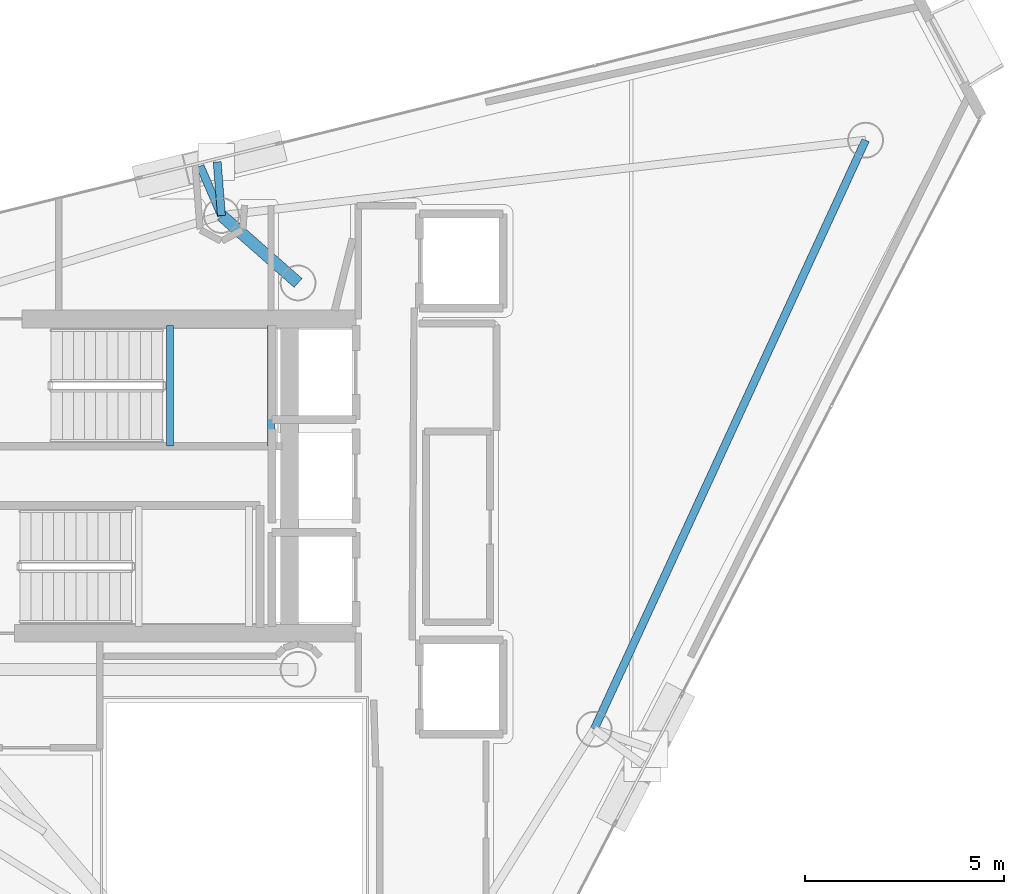
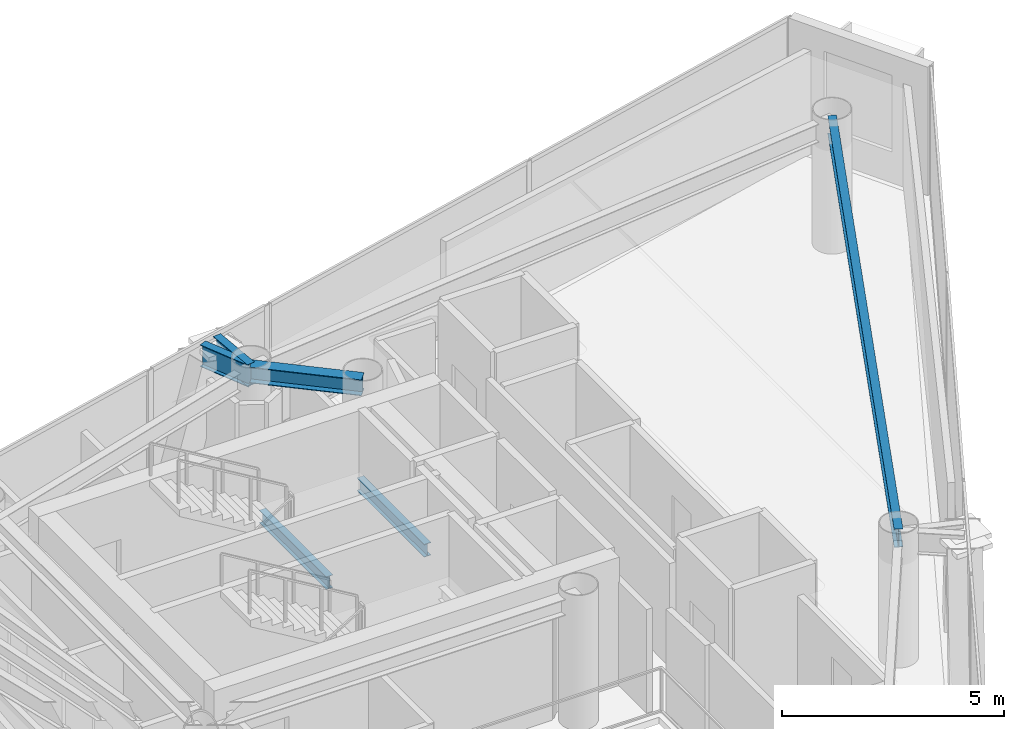
# One storey, part 13 of 21: 6 beams.
"""IFC4 building model written with IfcOpenShell, lengths in metres."""

from ifc_helpers import new_model, si_unit, direction, frame, origin, origin_2d, place, context, subcontext, project, spatial, i_section, extrude, material, material_profile, profile_set, type_object, element, save


model = new_model("IFC4")

# Units and contexts
model_context = context("Model", 3, precision=1e-05, world=origin(), true_north=direction((0.0, 1.0)))
body_context = subcontext(model_context, "Body", "Model", "MODEL_VIEW")
ifc_project = project(units=[si_unit("LENGTHUNIT", "METRE"), si_unit("AREAUNIT", "SQUARE_METRE"), si_unit("VOLUMEUNIT", "CUBIC_METRE"), si_unit("PLANEANGLEUNIT", "RADIAN"), si_unit("MASSUNIT", "GRAM", prefix="KILO")], contexts=[model_context])

# Site, building, storey
site_placement = place(None, origin())
site = spatial("IfcSite", under=ifc_project, at=site_placement, CompositionType="ELEMENT")
building_placement = place(site_placement, origin())
building = spatial("IfcBuilding", under=site, at=building_placement, Name="Qianvela Tower", CompositionType="ELEMENT")
storey_placement = place(building_placement, frame((0.0, 0.0, 310.199951171875)))
storey = spatial("IfcBuildingStorey", under=building, at=storey_placement, Name="L80", CompositionType="ELEMENT", Elevation=310.199951171875)

# Beams
ifc_material_1 = material(Name="Steel Q355B", Category="steel")
ifc_material_profile_1 = material_profile(ifc_material_1, i_section(OverallWidth=0.300048828125, OverallDepth=0.43994140625, WebThickness=0.010986328125, FlangeThickness=0.01806640625, at=origin_2d()), Name="HM440x300x11x18")
ifc_profile_set_1 = profile_set([ifc_material_profile_1], Name="Steel Q355B")
beam_type_1 = type_object("IfcBeamType", Name="BM-HM440-COLL", PredefinedType="BEAM", material=ifc_profile_set_1)
beam_1_placement = place(storey_placement, frame((38.39990234375, 33.550048828125, 3.298095703125), z_axis=(-0.750732416106, 0.660606417928, 0.0), x_axis=(-0.660606417928, -0.750732416106, 0.0)))
element("IfcBeam", 1, at=beam_1_placement, inside=storey, type_object=beam_type_1, Name="L80 Radial Primary Floor Girder 2", PredefinedType="BEAM", context=body_context, shape_type="SweptSolid", body=[
    extrude(i_section(OverallWidth=0.300048828125, OverallDepth=0.43994140625, WebThickness=0.010986328125, FlangeThickness=0.01806640625, at=origin_2d()), origin(), (0.0, 0.0, 1.0), 2.5625),
])
ifc_material_2 = material(Name="Steel Q355B", Category="steel")
ifc_material_profile_2 = material_profile(ifc_material_2, i_section(OverallWidth=0.175048828125, OverallDepth=0.35009765625, WebThickness=0.007080078125, FlangeThickness=0.010986328125, at=origin_2d()), Name="HN350x175x7x11")
ifc_profile_set_2 = profile_set([ifc_material_profile_2], Name="Steel Q355B")
beam_type_2 = type_object("IfcBeamType", Name="BM-HN350-JOIST", PredefinedType="JOIST", material=ifc_profile_set_2)
for number, where, z_axis, x_axis, name in (
    (2, (35.179931640625, 29.4599609375, 1.47509765625), (0.0, 1.0, 0.0), (-1.0, 0.0, 0.0), "L80 Stair ST-1 Landing Support Beam 1.1"),
    (3, (37.719970703125, 29.4599609375, 1.47509765625), (0.0, 1.0, 0.0), (-1.0, 0.0, 0.0), "L80 Stair ST-1 Landing Support Beam 1.2"),
):
    element("IfcBeam", number, at=place(storey_placement, frame(where, z_axis=z_axis, x_axis=x_axis)), inside=storey, type_object=beam_type_2, Name=name, PredefinedType="JOIST", context=body_context, shape_type="SweptSolid", body=[
        extrude(i_section(OverallWidth=0.175048828125, OverallDepth=0.35009765625, WebThickness=0.007080078125, FlangeThickness=0.010986328125, at=origin_2d()), origin(), (0.0, 0.0, 1.0), 3.02001953125),
    ])
ifc_material_3 = material(Name="Steel Q355B", Category="steel")
ifc_material_profile_3 = material_profile(ifc_material_3, i_section(OverallWidth=0.199951171875, OverallDepth=0.5, WebThickness=0.010009765625, FlangeThickness=0.01611328125, at=origin_2d()), Name="HN500x200x10x16")
ifc_profile_set_3 = profile_set([ifc_material_profile_3], Name="Steel Q355B")
beam_type_3 = type_object("IfcBeamType", Name="BM-HN500-GIRD", PredefinedType="BEAM", material=ifc_profile_set_3)
beam_2_placement = place(storey_placement, frame((45.833984375, 22.344970703125, 3.26806640625), z_axis=(0.418440097712, 0.908244396969, 0.0), x_axis=(-0.908244396969, 0.418440097712, 0.0)))
element("IfcBeam", 4, at=beam_2_placement, inside=storey, type_object=beam_type_3, Name="L80 Perimeter Ring Spandrel Girder 6", PredefinedType="BEAM", context=body_context, shape_type="SweptSolid", body=[
    extrude(i_section(OverallWidth=0.199951171875, OverallDepth=0.5, WebThickness=0.010009765625, FlangeThickness=0.01611328125, at=origin_2d()), origin(), (0.0, 0.0, 1.0), 16.2841796875),
])
ifc_material_4 = material(Name="Steel Q355B", Category="steel")
ifc_material_profile_4 = material_profile(ifc_material_4, i_section(OverallWidth=0.199951171875, OverallDepth=0.60009765625, WebThickness=0.010986328125, FlangeThickness=0.01708984375, at=origin_2d()), Name="HN600x200x11x17")
ifc_profile_set_4 = profile_set([ifc_material_profile_4], Name="Steel Q355B")
beam_type_4 = type_object("IfcBeamType", Name="BM-HN600-GIRD", PredefinedType="BEAM", material=ifc_profile_set_4)
for number, where, z_axis, x_axis, name in (
    (5, (36.47607421875, 35.242919921875, 3.218017578125), (-0.078797015414, 0.996890681249, 0.0), (-0.996890681249, -0.078797015414, 0.0), "L80 Mega-Brace Column Tie Bracket F1-1"),
    (6, (36.47607421875, 35.242919921875, 3.218017578125), (-0.394922496681, 0.918714439647, 0.0), (-0.918714439647, -0.394922496681, 0.0), "L80 Mega-Brace Column Tie Bracket F1-2"),
):
    element("IfcBeam", number, at=place(storey_placement, frame(where, z_axis=z_axis, x_axis=x_axis)), inside=storey, type_object=beam_type_4, Name=name, PredefinedType="BEAM", context=body_context, shape_type="SweptSolid", body=[
        extrude(i_section(OverallWidth=0.199951171875, OverallDepth=0.60009765625, WebThickness=0.010986328125, FlangeThickness=0.01708984375, at=origin_2d()), origin(), (0.0, 0.0, 1.0), 1.350830078125),
    ])

save(model, "model.ifc")
